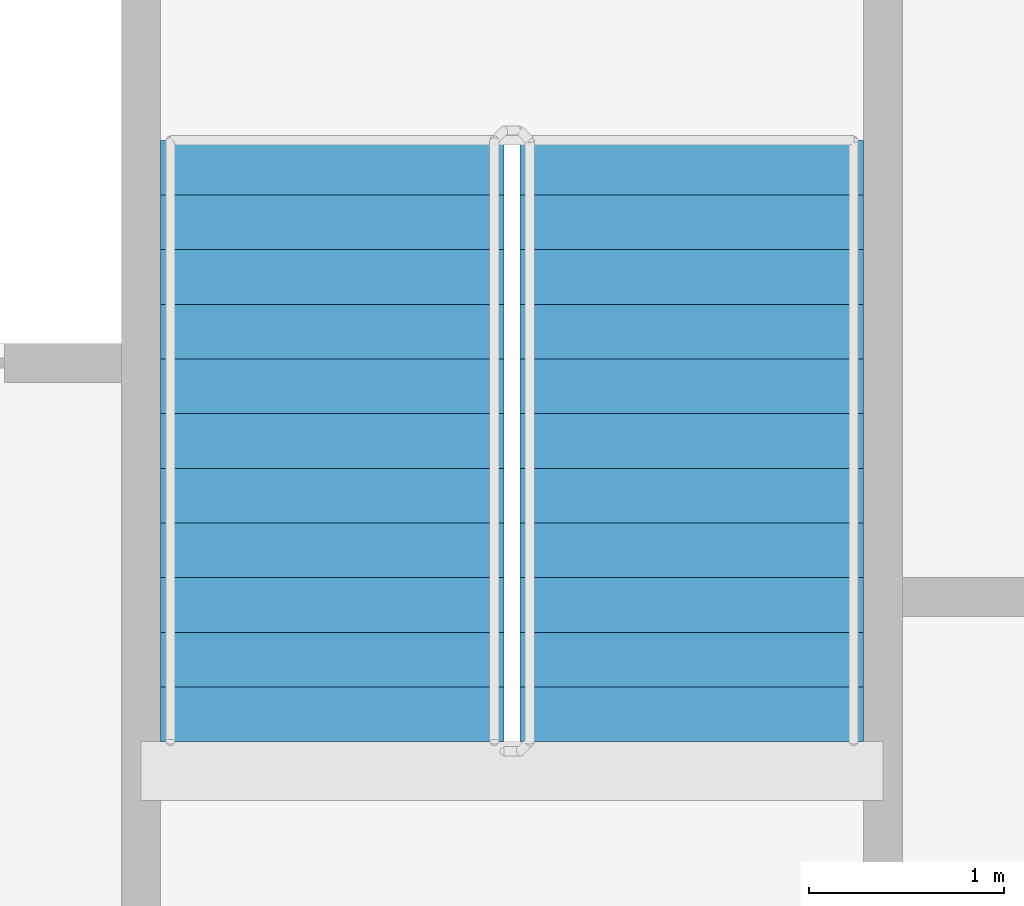
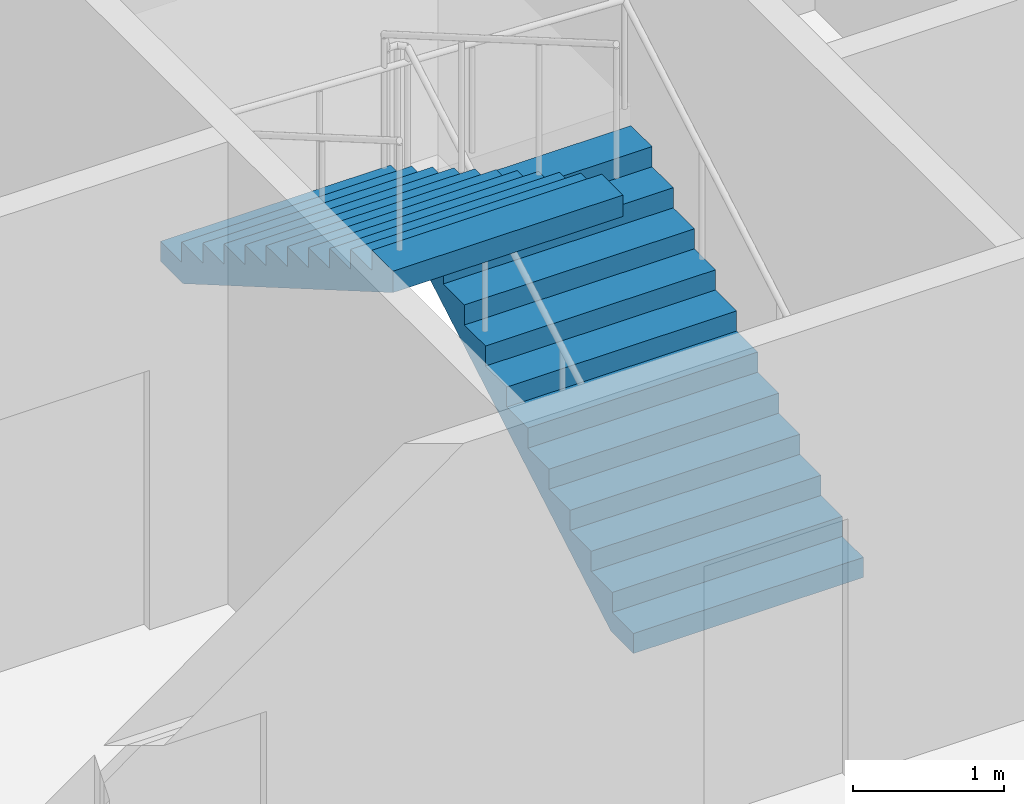
# One storey, part 10 of 15: 2 stair flights, 1 element without a shape of its own.
"""IFC4 building model written with IfcOpenShell, lengths in metres."""

from ifc_helpers import new_model, si_unit, direction, frame, origin, place, context, subcontext, project, spatial, faceted_brep, material, type_object, element, aggregate, save


model = new_model("IFC4")

# Units and contexts
model_context = context("Model", 3, precision=1e-05, world=origin(), true_north=direction((0.0, 1.0)))
body_context = subcontext(model_context, "Body", "Model", "MODEL_VIEW")
ifc_project = project(units=[si_unit("LENGTHUNIT", "METRE"), si_unit("AREAUNIT", "SQUARE_METRE"), si_unit("VOLUMEUNIT", "CUBIC_METRE"), si_unit("PLANEANGLEUNIT", "RADIAN"), si_unit("MASSUNIT", "GRAM", prefix="KILO")], contexts=[model_context])

# Site, building, storey
site_placement = place(None, origin())
site = spatial("IfcSite", under=ifc_project, at=site_placement, CompositionType="ELEMENT")
building_placement = place(site_placement, origin())
building = spatial("IfcBuilding", under=site, at=building_placement, Name="Tarsis Ring Headquarters", CompositionType="ELEMENT")
storey_placement = place(building_placement, frame((0.0, 0.0, 159.300048828125)))
storey = spatial("IfcBuildingStorey", under=building, at=storey_placement, Name="L36", CompositionType="ELEMENT", Elevation=159.300048828125)

# Stair, stair flights
ifc_material_1 = material(Name="Core stair 1760")
stair_type = type_object("IfcStairType", Name="Core stair 1760", PredefinedType="HALF_TURN_STAIR", material=ifc_material_1)
stair_placement = place(storey_placement, origin())
stair = element("IfcStair", 1, at=stair_placement, inside=storey, type_object=stair_type, Name="L36 Exit stair B", PredefinedType="HALF_TURN_STAIR")
ifc_material_2 = material(Name="Concrete C40/50", Category="concrete")
stair_flight_type = type_object("IfcStairFlightType", Name="Core stair flight 1760", PredefinedType="STRAIGHT", material=ifc_material_2)
stair_flight_1_placement = place(storey_placement, frame((5.419921875, 3.659912109375, 0.0), z_axis=(0.0, 0.0, 1.0), x_axis=(0.0, 1.0, 0.0)))
stair_flight_1 = element("IfcStairFlight", 2, at=stair_flight_1_placement, type_object=stair_flight_type, Name="Stair ST2 flight 1", NumberOfRisers=12, NumberOfTreads=11, PredefinedType="STRAIGHT", RiserHeight=0.1625, TreadLength=0.28, context=body_context, shape_type="Brep", body=[
    faceted_brep([(0.0, 0.8798828125, 0.0), (0.0, 0.8798828125, 0.16259765625), (0.280029296875, 0.8798828125, 0.16259765625), (0.280029296875, 0.8798828125, 0.324951171875), (0.56005859375, 0.8798828125, 0.324951171875), (0.56005859375, 0.8798828125, 0.487548828125), (0.840087890625, 0.8798828125, 0.487548828125), (0.840087890625, 0.8798828125, 0.64990234375), (1.1201171875, 0.8798828125, 0.64990234375), (1.1201171875, 0.8798828125, 0.8125), (1.39990234375, 0.8798828125, 0.8125), (1.39990234375, 0.8798828125, 0.97509765625), (1.679931640625, 0.8798828125, 0.97509765625), (1.679931640625, 0.8798828125, 1.137451171875), (1.9599609375, 0.8798828125, 1.137451171875), (1.9599609375, 0.8798828125, 1.300048828125), (2.239990234375, 0.8798828125, 1.300048828125), (2.239990234375, 0.8798828125, 1.46240234375), (2.52001953125, 0.8798828125, 1.46240234375), (2.52001953125, 0.8798828125, 1.625), (2.800048828125, 0.8798828125, 1.625), (2.800048828125, 0.8798828125, 1.78759765625), (3.080078125, 0.8798828125, 1.78759765625), (3.080078125, 0.8798828125, 1.6142578125), (0.298583984375, 0.8798828125, 0.0), (0.298583984375, -0.8798828125, 0.0), (3.080078125, -0.8798828125, 1.6142578125), (3.080078125, -0.8798828125, 1.78759765625), (2.800048828125, -0.8798828125, 1.78759765625), (2.800048828125, -0.8798828125, 1.625), (2.52001953125, -0.8798828125, 1.625), (2.52001953125, -0.8798828125, 1.46240234375), (2.239990234375, -0.8798828125, 1.46240234375), (2.239990234375, -0.8798828125, 1.300048828125), (1.9599609375, -0.8798828125, 1.300048828125), (1.9599609375, -0.8798828125, 1.137451171875), (1.679931640625, -0.8798828125, 1.137451171875), (1.679931640625, -0.8798828125, 0.97509765625), (1.39990234375, -0.8798828125, 0.97509765625), (1.39990234375, -0.8798828125, 0.8125), (1.1201171875, -0.8798828125, 0.8125), (1.1201171875, -0.8798828125, 0.64990234375), (0.840087890625, -0.8798828125, 0.64990234375), (0.840087890625, -0.8798828125, 0.487548828125), (0.56005859375, -0.8798828125, 0.487548828125), (0.56005859375, -0.8798828125, 0.324951171875), (0.280029296875, -0.8798828125, 0.324951171875), (0.280029296875, -0.8798828125, 0.16259765625), (0.0, -0.8798828125, 0.16259765625), (0.0, -0.8798828125, 0.0), (0.0, -0.43994140625, 0.16259765625), (0.0, -0.43994140625, 0.0), (0.0, 0.0, 0.16259765625), (0.0, 0.0, 0.0), (0.0, 0.43994140625, 0.16259765625), (0.0, 0.43994140625, 0.0), (0.280029296875, -0.43994140625, 0.16259765625), (0.280029296875, 0.0, 0.16259765625), (0.280029296875, 0.43994140625, 0.16259765625), (0.280029296875, -0.43994140625, 0.324951171875), (0.280029296875, 0.0, 0.324951171875), (0.280029296875, 0.43994140625, 0.324951171875), (0.56005859375, -0.43994140625, 0.324951171875), (0.56005859375, 0.0, 0.324951171875), (0.56005859375, 0.43994140625, 0.324951171875), (0.56005859375, -0.43994140625, 0.487548828125), (0.56005859375, 0.0, 0.487548828125), (0.56005859375, 0.43994140625, 0.487548828125), (0.840087890625, -0.43994140625, 0.487548828125), (0.840087890625, 0.0, 0.487548828125), (0.840087890625, 0.43994140625, 0.487548828125), (0.840087890625, -0.43994140625, 0.64990234375), (0.840087890625, 0.0, 0.64990234375), (0.840087890625, 0.43994140625, 0.64990234375), (1.1201171875, -0.43994140625, 0.64990234375), (1.1201171875, 0.0, 0.64990234375), (1.1201171875, 0.43994140625, 0.64990234375), (1.1201171875, -0.43994140625, 0.8125), (1.1201171875, 0.0, 0.8125), (1.1201171875, 0.43994140625, 0.8125), (1.39990234375, -0.43994140625, 0.8125), (1.39990234375, 0.0, 0.8125), (1.39990234375, 0.43994140625, 0.8125), (1.39990234375, -0.43994140625, 0.97509765625), (1.39990234375, 0.0, 0.97509765625), (1.39990234375, 0.43994140625, 0.97509765625), (1.679931640625, -0.43994140625, 0.97509765625), (1.679931640625, 0.0, 0.97509765625), (1.679931640625, 0.43994140625, 0.97509765625), (1.679931640625, -0.43994140625, 1.137451171875), (1.679931640625, 0.0, 1.137451171875), (1.679931640625, 0.43994140625, 1.137451171875), (1.9599609375, -0.43994140625, 1.137451171875), (1.9599609375, 0.0, 1.137451171875), (1.9599609375, 0.43994140625, 1.137451171875), (1.9599609375, -0.43994140625, 1.300048828125), (1.9599609375, 0.0, 1.300048828125), (1.9599609375, 0.43994140625, 1.300048828125), (2.239990234375, -0.43994140625, 1.300048828125), (2.239990234375, 0.0, 1.300048828125), (2.239990234375, 0.43994140625, 1.300048828125), (2.239990234375, -0.43994140625, 1.46240234375), (2.239990234375, 0.0, 1.46240234375), (2.239990234375, 0.43994140625, 1.46240234375), (2.52001953125, -0.43994140625, 1.46240234375), (2.52001953125, 0.0, 1.46240234375), (2.52001953125, 0.43994140625, 1.46240234375), (2.52001953125, -0.43994140625, 1.625), (2.52001953125, 0.0, 1.625), (2.52001953125, 0.43994140625, 1.625), (2.800048828125, -0.43994140625, 1.625), (2.800048828125, 0.0, 1.625), (2.800048828125, 0.43994140625, 1.625), (2.800048828125, -0.43994140625, 1.78759765625), (2.800048828125, 0.0, 1.78759765625), (2.800048828125, 0.43994140625, 1.78759765625), (3.080078125, -0.43994140625, 1.78759765625), (3.080078125, 0.0, 1.78759765625), (3.080078125, 0.43994140625, 1.78759765625), (3.080078125, -0.43994140625, 1.6142578125), (3.080078125, 0.0, 1.6142578125), (3.080078125, 0.43994140625, 1.6142578125), (0.298583984375, -0.43994140625, 0.0), (0.298583984375, 0.0, 0.0), (0.298583984375, 0.43994140625, 0.0)], [[[0, 1, 2, 3, 4, 5, 6, 7, 8, 9, 10, 11, 12, 13, 14, 15, 16, 17, 18, 19, 20, 21, 22, 23, 24]], [[25, 26, 27, 28, 29, 30, 31, 32, 33, 34, 35, 36, 37, 38, 39, 40, 41, 42, 43, 44, 45, 46, 47, 48, 49]], [[49, 48, 50, 51]], [[51, 50, 52, 53]], [[53, 52, 54, 55]], [[55, 54, 1, 0]], [[48, 47, 56, 50]], [[50, 56, 57, 52]], [[52, 57, 58, 54]], [[54, 58, 2, 1]], [[47, 46, 59, 56]], [[56, 59, 60, 57]], [[57, 60, 61, 58]], [[58, 61, 3, 2]], [[46, 45, 62, 59]], [[59, 62, 63, 60]], [[60, 63, 64, 61]], [[61, 64, 4, 3]], [[45, 44, 65, 62]], [[62, 65, 66, 63]], [[63, 66, 67, 64]], [[64, 67, 5, 4]], [[44, 43, 68, 65]], [[65, 68, 69, 66]], [[66, 69, 70, 67]], [[67, 70, 6, 5]], [[43, 42, 71, 68]], [[68, 71, 72, 69]], [[69, 72, 73, 70]], [[70, 73, 7, 6]], [[42, 41, 74, 71]], [[71, 74, 75, 72]], [[72, 75, 76, 73]], [[73, 76, 8, 7]], [[41, 40, 77, 74]], [[74, 77, 78, 75]], [[75, 78, 79, 76]], [[76, 79, 9, 8]], [[40, 39, 80, 77]], [[77, 80, 81, 78]], [[78, 81, 82, 79]], [[79, 82, 10, 9]], [[39, 38, 83, 80]], [[80, 83, 84, 81]], [[81, 84, 85, 82]], [[82, 85, 11, 10]], [[38, 37, 86, 83]], [[83, 86, 87, 84]], [[84, 87, 88, 85]], [[85, 88, 12, 11]], [[37, 36, 89, 86]], [[86, 89, 90, 87]], [[87, 90, 91, 88]], [[88, 91, 13, 12]], [[36, 35, 92, 89]], [[89, 92, 93, 90]], [[90, 93, 94, 91]], [[91, 94, 14, 13]], [[35, 34, 95, 92]], [[92, 95, 96, 93]], [[93, 96, 97, 94]], [[94, 97, 15, 14]], [[34, 33, 98, 95]], [[95, 98, 99, 96]], [[96, 99, 100, 97]], [[97, 100, 16, 15]], [[33, 32, 101, 98]], [[98, 101, 102, 99]], [[99, 102, 103, 100]], [[100, 103, 17, 16]], [[32, 31, 104, 101]], [[101, 104, 105, 102]], [[102, 105, 106, 103]], [[103, 106, 18, 17]], [[31, 30, 107, 104]], [[104, 107, 108, 105]], [[105, 108, 109, 106]], [[106, 109, 19, 18]], [[30, 29, 110, 107]], [[107, 110, 111, 108]], [[108, 111, 112, 109]], [[109, 112, 20, 19]], [[29, 28, 113, 110]], [[110, 113, 114, 111]], [[111, 114, 115, 112]], [[112, 115, 21, 20]], [[28, 27, 116, 113]], [[113, 116, 117, 114]], [[114, 117, 118, 115]], [[115, 118, 22, 21]], [[27, 26, 119, 116]], [[116, 119, 120, 117]], [[117, 120, 121, 118]], [[118, 121, 23, 22]], [[26, 25, 122, 119]], [[119, 122, 123, 120]], [[120, 123, 124, 121]], [[121, 124, 24, 23]], [[25, 49, 51, 122]], [[122, 51, 53, 123]], [[123, 53, 55, 124]], [[124, 55, 0, 24]]]),
])
stair_flight_2_placement = place(storey_placement, frame((3.580078125, 6.739990234375, 1.949951171875), z_axis=(0.0, 0.0, 1.0), x_axis=(0.0, -1.0, 0.0)))
stair_flight_2 = element("IfcStairFlight", 3, at=stair_flight_2_placement, type_object=stair_flight_type, Name="Stair ST2 flight 2", NumberOfRisers=12, NumberOfTreads=11, PredefinedType="STRAIGHT", RiserHeight=0.1625, TreadLength=0.28, context=body_context, shape_type="Brep", body=[
    faceted_brep([(0.0, 0.8798828125, 0.0), (0.0, 0.8798828125, 0.16259765625), (0.280029296875, 0.8798828125, 0.16259765625), (0.280029296875, 0.8798828125, 0.324951171875), (0.56005859375, 0.8798828125, 0.324951171875), (0.56005859375, 0.8798828125, 0.487548828125), (0.840087890625, 0.8798828125, 0.487548828125), (0.840087890625, 0.8798828125, 0.64990234375), (1.1201171875, 0.8798828125, 0.64990234375), (1.1201171875, 0.8798828125, 0.8125), (1.39990234375, 0.8798828125, 0.8125), (1.39990234375, 0.8798828125, 0.97509765625), (1.679931640625, 0.8798828125, 0.97509765625), (1.679931640625, 0.8798828125, 1.137451171875), (1.9599609375, 0.8798828125, 1.137451171875), (1.9599609375, 0.8798828125, 1.300048828125), (2.239990234375, 0.8798828125, 1.300048828125), (2.239990234375, 0.8798828125, 1.46240234375), (2.52001953125, 0.8798828125, 1.46240234375), (2.52001953125, 0.8798828125, 1.625), (2.800048828125, 0.8798828125, 1.625), (2.800048828125, 0.8798828125, 1.78759765625), (3.080078125, 0.8798828125, 1.78759765625), (3.080078125, 0.8798828125, 1.6142578125), (0.298583984375, 0.8798828125, 0.0), (0.298583984375, -0.8798828125, 0.0), (3.080078125, -0.8798828125, 1.6142578125), (3.080078125, -0.8798828125, 1.78759765625), (2.800048828125, -0.8798828125, 1.78759765625), (2.800048828125, -0.8798828125, 1.625), (2.52001953125, -0.8798828125, 1.625), (2.52001953125, -0.8798828125, 1.46240234375), (2.239990234375, -0.8798828125, 1.46240234375), (2.239990234375, -0.8798828125, 1.300048828125), (1.9599609375, -0.8798828125, 1.300048828125), (1.9599609375, -0.8798828125, 1.137451171875), (1.679931640625, -0.8798828125, 1.137451171875), (1.679931640625, -0.8798828125, 0.97509765625), (1.39990234375, -0.8798828125, 0.97509765625), (1.39990234375, -0.8798828125, 0.8125), (1.1201171875, -0.8798828125, 0.8125), (1.1201171875, -0.8798828125, 0.64990234375), (0.840087890625, -0.8798828125, 0.64990234375), (0.840087890625, -0.8798828125, 0.487548828125), (0.56005859375, -0.8798828125, 0.487548828125), (0.56005859375, -0.8798828125, 0.324951171875), (0.280029296875, -0.8798828125, 0.324951171875), (0.280029296875, -0.8798828125, 0.16259765625), (0.0, -0.8798828125, 0.16259765625), (0.0, -0.8798828125, 0.0), (0.0, -0.43994140625, 0.16259765625), (0.0, -0.43994140625, 0.0), (0.0, 0.0, 0.16259765625), (0.0, 0.0, 0.0), (0.0, 0.43994140625, 0.16259765625), (0.0, 0.43994140625, 0.0), (0.280029296875, -0.43994140625, 0.16259765625), (0.280029296875, 0.0, 0.16259765625), (0.280029296875, 0.43994140625, 0.16259765625), (0.280029296875, -0.43994140625, 0.324951171875), (0.280029296875, 0.0, 0.324951171875), (0.280029296875, 0.43994140625, 0.324951171875), (0.56005859375, -0.43994140625, 0.324951171875), (0.56005859375, 0.0, 0.324951171875), (0.56005859375, 0.43994140625, 0.324951171875), (0.56005859375, -0.43994140625, 0.487548828125), (0.56005859375, 0.0, 0.487548828125), (0.56005859375, 0.43994140625, 0.487548828125), (0.840087890625, -0.43994140625, 0.487548828125), (0.840087890625, 0.0, 0.487548828125), (0.840087890625, 0.43994140625, 0.487548828125), (0.840087890625, -0.43994140625, 0.64990234375), (0.840087890625, 0.0, 0.64990234375), (0.840087890625, 0.43994140625, 0.64990234375), (1.1201171875, -0.43994140625, 0.64990234375), (1.1201171875, 0.0, 0.64990234375), (1.1201171875, 0.43994140625, 0.64990234375), (1.1201171875, -0.43994140625, 0.8125), (1.1201171875, 0.0, 0.8125), (1.1201171875, 0.43994140625, 0.8125), (1.39990234375, -0.43994140625, 0.8125), (1.39990234375, 0.0, 0.8125), (1.39990234375, 0.43994140625, 0.8125), (1.39990234375, -0.43994140625, 0.97509765625), (1.39990234375, 0.0, 0.97509765625), (1.39990234375, 0.43994140625, 0.97509765625), (1.679931640625, -0.43994140625, 0.97509765625), (1.679931640625, 0.0, 0.97509765625), (1.679931640625, 0.43994140625, 0.97509765625), (1.679931640625, -0.43994140625, 1.137451171875), (1.679931640625, 0.0, 1.137451171875), (1.679931640625, 0.43994140625, 1.137451171875), (1.9599609375, -0.43994140625, 1.137451171875), (1.9599609375, 0.0, 1.137451171875), (1.9599609375, 0.43994140625, 1.137451171875), (1.9599609375, -0.43994140625, 1.300048828125), (1.9599609375, 0.0, 1.300048828125), (1.9599609375, 0.43994140625, 1.300048828125), (2.239990234375, -0.43994140625, 1.300048828125), (2.239990234375, 0.0, 1.300048828125), (2.239990234375, 0.43994140625, 1.300048828125), (2.239990234375, -0.43994140625, 1.46240234375), (2.239990234375, 0.0, 1.46240234375), (2.239990234375, 0.43994140625, 1.46240234375), (2.52001953125, -0.43994140625, 1.46240234375), (2.52001953125, 0.0, 1.46240234375), (2.52001953125, 0.43994140625, 1.46240234375), (2.52001953125, -0.43994140625, 1.625), (2.52001953125, 0.0, 1.625), (2.52001953125, 0.43994140625, 1.625), (2.800048828125, -0.43994140625, 1.625), (2.800048828125, 0.0, 1.625), (2.800048828125, 0.43994140625, 1.625), (2.800048828125, -0.43994140625, 1.78759765625), (2.800048828125, 0.0, 1.78759765625), (2.800048828125, 0.43994140625, 1.78759765625), (3.080078125, -0.43994140625, 1.78759765625), (3.080078125, 0.0, 1.78759765625), (3.080078125, 0.43994140625, 1.78759765625), (3.080078125, -0.43994140625, 1.6142578125), (3.080078125, 0.0, 1.6142578125), (3.080078125, 0.43994140625, 1.6142578125), (0.298583984375, -0.43994140625, 0.0), (0.298583984375, 0.0, 0.0), (0.298583984375, 0.43994140625, 0.0)], [[[0, 1, 2, 3, 4, 5, 6, 7, 8, 9, 10, 11, 12, 13, 14, 15, 16, 17, 18, 19, 20, 21, 22, 23, 24]], [[25, 26, 27, 28, 29, 30, 31, 32, 33, 34, 35, 36, 37, 38, 39, 40, 41, 42, 43, 44, 45, 46, 47, 48, 49]], [[49, 48, 50, 51]], [[51, 50, 52, 53]], [[53, 52, 54, 55]], [[55, 54, 1, 0]], [[48, 47, 56, 50]], [[50, 56, 57, 52]], [[52, 57, 58, 54]], [[54, 58, 2, 1]], [[47, 46, 59, 56]], [[56, 59, 60, 57]], [[57, 60, 61, 58]], [[58, 61, 3, 2]], [[46, 45, 62, 59]], [[59, 62, 63, 60]], [[60, 63, 64, 61]], [[61, 64, 4, 3]], [[45, 44, 65, 62]], [[62, 65, 66, 63]], [[63, 66, 67, 64]], [[64, 67, 5, 4]], [[44, 43, 68, 65]], [[65, 68, 69, 66]], [[66, 69, 70, 67]], [[67, 70, 6, 5]], [[43, 42, 71, 68]], [[68, 71, 72, 69]], [[69, 72, 73, 70]], [[70, 73, 7, 6]], [[42, 41, 74, 71]], [[71, 74, 75, 72]], [[72, 75, 76, 73]], [[73, 76, 8, 7]], [[41, 40, 77, 74]], [[74, 77, 78, 75]], [[75, 78, 79, 76]], [[76, 79, 9, 8]], [[40, 39, 80, 77]], [[77, 80, 81, 78]], [[78, 81, 82, 79]], [[79, 82, 10, 9]], [[39, 38, 83, 80]], [[80, 83, 84, 81]], [[81, 84, 85, 82]], [[82, 85, 11, 10]], [[38, 37, 86, 83]], [[83, 86, 87, 84]], [[84, 87, 88, 85]], [[85, 88, 12, 11]], [[37, 36, 89, 86]], [[86, 89, 90, 87]], [[87, 90, 91, 88]], [[88, 91, 13, 12]], [[36, 35, 92, 89]], [[89, 92, 93, 90]], [[90, 93, 94, 91]], [[91, 94, 14, 13]], [[35, 34, 95, 92]], [[92, 95, 96, 93]], [[93, 96, 97, 94]], [[94, 97, 15, 14]], [[34, 33, 98, 95]], [[95, 98, 99, 96]], [[96, 99, 100, 97]], [[97, 100, 16, 15]], [[33, 32, 101, 98]], [[98, 101, 102, 99]], [[99, 102, 103, 100]], [[100, 103, 17, 16]], [[32, 31, 104, 101]], [[101, 104, 105, 102]], [[102, 105, 106, 103]], [[103, 106, 18, 17]], [[31, 30, 107, 104]], [[104, 107, 108, 105]], [[105, 108, 109, 106]], [[106, 109, 19, 18]], [[30, 29, 110, 107]], [[107, 110, 111, 108]], [[108, 111, 112, 109]], [[109, 112, 20, 19]], [[29, 28, 113, 110]], [[110, 113, 114, 111]], [[111, 114, 115, 112]], [[112, 115, 21, 20]], [[28, 27, 116, 113]], [[113, 116, 117, 114]], [[114, 117, 118, 115]], [[115, 118, 22, 21]], [[27, 26, 119, 116]], [[116, 119, 120, 117]], [[117, 120, 121, 118]], [[118, 121, 23, 22]], [[26, 25, 122, 119]], [[119, 122, 123, 120]], [[120, 123, 124, 121]], [[121, 124, 24, 23]], [[25, 49, 51, 122]], [[122, 51, 53, 123]], [[123, 53, 55, 124]], [[124, 55, 0, 24]]]),
])
aggregate(stair, [stair_flight_1, stair_flight_2])

save(model, "model.ifc")
